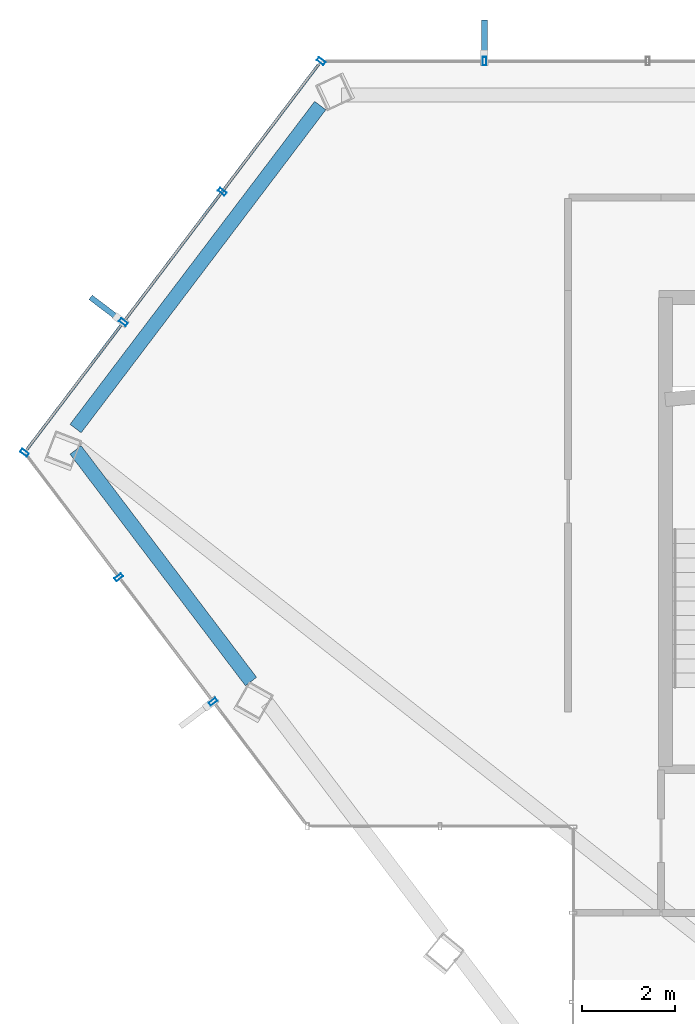
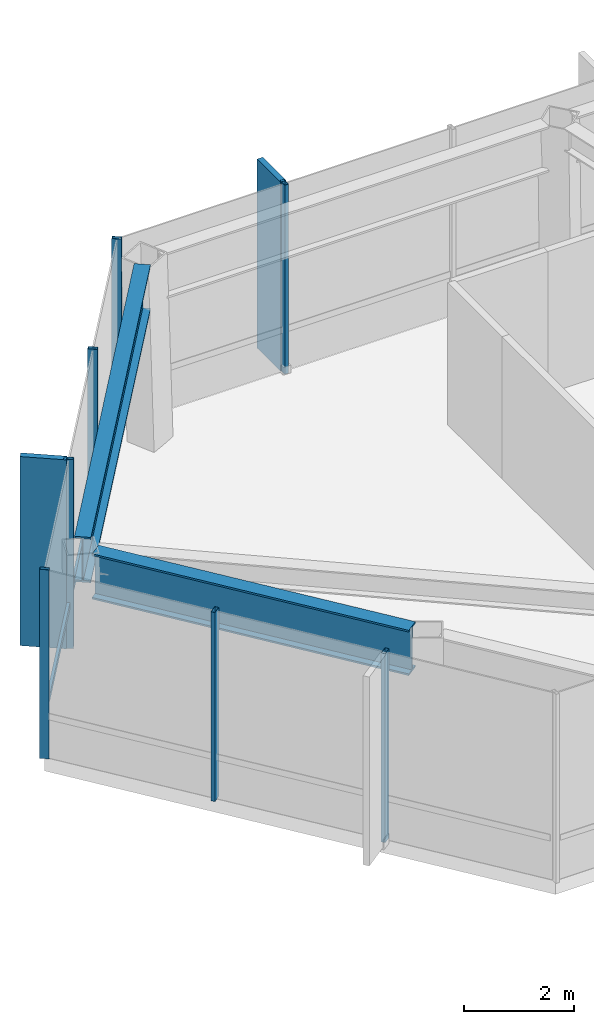
# One storey, part 7 of 22: 10 members, 2 beams, 3 elements without a shape of their own.
"""IFC4 building model written with IfcOpenShell, lengths in metres."""

from ifc_helpers import new_model, si_unit, direction, frame, origin, origin_2d, place, context, subcontext, project, spatial, rectangle, hollow_rectangle, i_section, extrude, material, layer, layer_set, material_profile, profile_set, type_object, element, aggregate, save


model = new_model("IFC4")

# Units and contexts
model_context = context("Model", 3, precision=1e-05, world=origin(), true_north=direction((0.0, 1.0)))
body_context = subcontext(model_context, "Body", "Model", "MODEL_VIEW")
ifc_project = project(units=[si_unit("LENGTHUNIT", "METRE"), si_unit("AREAUNIT", "SQUARE_METRE"), si_unit("VOLUMEUNIT", "CUBIC_METRE"), si_unit("PLANEANGLEUNIT", "RADIAN"), si_unit("MASSUNIT", "GRAM", prefix="KILO")], contexts=[model_context])

# Site, building, storey
site_placement = place(None, origin())
site = spatial("IfcSite", under=ifc_project, at=site_placement, CompositionType="ELEMENT")
building_placement = place(site_placement, origin())
building = spatial("IfcBuilding", under=site, at=building_placement, Name="Zarrinselat Tower", CompositionType="ELEMENT")
storey_placement = place(building_placement, frame((0.0, 0.0, 204.340087890625)))
storey = spatial("IfcBuildingStorey", under=building, at=storey_placement, Name="L50", CompositionType="ELEMENT", Elevation=204.340087890625)

# Beams
ifc_material_1 = material(Name="Steel S460M", Category="steel")
ifc_material_profile_1 = material_profile(ifc_material_1, i_section(OverallWidth=0.302001953125, OverallDepth=1.008056640625, WebThickness=0.02099609375, FlangeThickness=0.0400390625, at=origin_2d()), Name="HEM 1000")
ifc_profile_set_1 = profile_set([ifc_material_profile_1], Name="Steel S460M")
beam_type = type_object("IfcBeamType", Name="BM-HEM1000", PredefinedType="BEAM", material=ifc_profile_set_1)
beam_1_placement = place(storey_placement, frame((15.943115234375, 40.57666015625, 3.69580078125), z_axis=(0.603856610549, 0.7970929644, 0.0), x_axis=(-0.7970929644, 0.603856610549, 0.0)))
element("IfcBeam", 1, at=beam_1_placement, inside=storey, type_object=beam_type, Name="L50 Perimeter Spandrel Girder SP05", PredefinedType="BEAM", context=body_context, shape_type="SweptSolid", body=[
    extrude(i_section(OverallWidth=0.302001953125, OverallDepth=1.008056640625, WebThickness=0.02099609375, FlangeThickness=0.0400390625, at=origin_2d()), origin(), (0.0, 0.0, 1.0), 8.725341796875),
])
beam_2_placement = place(storey_placement, frame((15.943115234375, 40.117431640625, 3.69580078125), z_axis=(0.603844917099, -0.797101822914, 0.0), x_axis=(0.797101822914, 0.603844917099, 0.0)))
element("IfcBeam", 2, at=beam_2_placement, inside=storey, type_object=beam_type, Name="L50 Perimeter Spandrel Girder SP06", PredefinedType="BEAM", context=body_context, shape_type="SweptSolid", body=[
    extrude(i_section(OverallWidth=0.302001953125, OverallDepth=1.008056640625, WebThickness=0.02099609375, FlangeThickness=0.0400390625, at=origin_2d()), origin(), (0.0, 0.0, 1.0), 6.257080078125),
])

# Curtain wall, members
ifc_material_2 = material(Name="Extruded Aluminium Alloy EN AW-6063 T6", Category="aluminium")
ifc_layer = layer(ifc_material_2, 0.195068359375)
ifc_layer_set = layer_set([ifc_layer], Name="Extruded Aluminium Alloy EN AW-6063 T6")
curtain_wall_type = type_object("IfcCurtainWallType", Name="CWS-GDN", PredefinedType="NOTDEFINED", material=ifc_layer_set)
curtain_wall_1_placement = place(storey_placement, origin())
curtain_wall_1 = element("IfcCurtainWall", 3, at=curtain_wall_1_placement, inside=storey, type_object=curtain_wall_type, Name="L50 Unitised Curtain Wall CW-L50-E01", PredefinedType="NOTDEFINED")
ifc_material_3 = material(Name="Extruded Aluminium Alloy EN AW-6063 T6", Category="aluminium")
ifc_material_profile_2 = material_profile(ifc_material_3, hollow_rectangle(XDim=0.080078125, YDim=0.179931640625, WallThickness=0.0048828125, at=origin_2d()), Name="RHS 180x80x5")
ifc_profile_set_2 = profile_set([ifc_material_profile_2], Name="Extruded Aluminium Alloy EN AW-6063 T6")
member_type_1 = type_object("IfcMemberType", Name="MEM-CW-MUL", PredefinedType="MULLION", material=ifc_profile_set_2)
member_1_placement = place(storey_placement, frame((14.8427734375, 40.057861328125, 0.0), z_axis=(0.0, 0.0, 1.0), x_axis=(0.603857870018, 0.797092010258, 0.0)))
member_1 = element("IfcMember", 4, at=member_1_placement, type_object=member_type_1, Name="CW-L50-E01 Mullion 0", PredefinedType="MULLION", context=body_context, shape_type="SweptSolid", body=[
    extrude(hollow_rectangle(XDim=0.080078125, YDim=0.179931640625, WallThickness=0.0048828125, at=origin_2d()), origin(), (0.0, 0.0, 1.0), 4.199951171875),
])
member_2_placement = place(storey_placement, frame((16.9716796875, 42.868408203125, 0.0), z_axis=(0.0, 0.0, 1.0), x_axis=(0.603857870018, 0.797092010258, 0.0)))
member_2 = element("IfcMember", 5, at=member_2_placement, type_object=member_type_1, Name="CW-L50-E01 Mullion 1", PredefinedType="MULLION", context=body_context, shape_type="SweptSolid", body=[
    extrude(hollow_rectangle(XDim=0.080078125, YDim=0.179931640625, WallThickness=0.0048828125, at=origin_2d()), origin(), (0.0, 0.0, 1.0), 4.199951171875),
])
member_3_placement = place(storey_placement, frame((19.100830078125, 45.6787109375, 0.0), z_axis=(0.0, 0.0, 1.0), x_axis=(0.603857870018, 0.797092010258, 0.0)))
member_3 = element("IfcMember", 6, at=member_3_placement, type_object=member_type_1, Name="CW-L50-E01 Mullion 2", PredefinedType="MULLION", context=body_context, shape_type="SweptSolid", body=[
    extrude(hollow_rectangle(XDim=0.080078125, YDim=0.179931640625, WallThickness=0.0048828125, at=origin_2d()), origin(), (0.0, 0.0, 1.0), 4.199951171875),
])
member_4_placement = place(storey_placement, frame((21.22998046875, 48.489013671875, 0.0), z_axis=(0.0, 0.0, 1.0), x_axis=(0.603857870018, 0.797092010258, 0.0)))
member_4 = element("IfcMember", 7, at=member_4_placement, type_object=member_type_1, Name="CW-L50-E01 Mullion 3", PredefinedType="MULLION", context=body_context, shape_type="SweptSolid", body=[
    extrude(hollow_rectangle(XDim=0.080078125, YDim=0.179931640625, WallThickness=0.0048828125, at=origin_2d()), origin(), (0.0, 0.0, 1.0), 4.199951171875),
])

# Curtain wall, member
curtain_wall_2_placement = place(storey_placement, origin())
curtain_wall_2 = element("IfcCurtainWall", 8, at=curtain_wall_2_placement, inside=storey, type_object=curtain_wall_type, Name="L50 Unitised Curtain Wall CW-L50-E02", PredefinedType="NOTDEFINED")
member_5_placement = place(storey_placement, frame((24.747314453125, 48.489013671875, 0.0), z_axis=(0.0, 0.0, 1.0), x_axis=(1.0, 0.0, 0.0)))
member_5 = element("IfcMember", 9, at=member_5_placement, type_object=member_type_1, Name="CW-L50-E02 Mullion 1", PredefinedType="MULLION", context=body_context, shape_type="SweptSolid", body=[
    extrude(hollow_rectangle(XDim=0.080078125, YDim=0.179931640625, WallThickness=0.0048828125, at=origin_2d()), origin(), (0.0, 0.0, 1.0), 4.199951171875),
])

# Curtain wall, members
curtain_wall_3_placement = place(storey_placement, origin())
curtain_wall_3 = element("IfcCurtainWall", 10, at=curtain_wall_3_placement, inside=storey, type_object=curtain_wall_type, Name="L50 Unitised Curtain Wall CW-L50-E25", PredefinedType="NOTDEFINED")
member_6_placement = place(storey_placement, frame((18.90478515625, 34.696044921875, 0.0), z_axis=(0.0, 0.0, 1.0), x_axis=(-0.603858445775, 0.797091574078, 0.0)))
member_6 = element("IfcMember", 11, at=member_6_placement, type_object=member_type_1, Name="CW-L50-E25 Mullion 1", PredefinedType="MULLION", context=body_context, shape_type="SweptSolid", body=[
    extrude(hollow_rectangle(XDim=0.080078125, YDim=0.179931640625, WallThickness=0.0048828125, at=origin_2d()), origin(), (0.0, 0.0, 1.0), 4.199951171875),
])
member_7_placement = place(storey_placement, frame((16.873779296875, 37.376953125, 0.0), z_axis=(0.0, 0.0, 1.0), x_axis=(-0.603858445775, 0.797091574078, 0.0)))
member_7 = element("IfcMember", 12, at=member_7_placement, type_object=member_type_1, Name="CW-L50-E25 Mullion 2", PredefinedType="MULLION", context=body_context, shape_type="SweptSolid", body=[
    extrude(hollow_rectangle(XDim=0.080078125, YDim=0.179931640625, WallThickness=0.0048828125, at=origin_2d()), origin(), (0.0, 0.0, 1.0), 4.199951171875),
])
aggregate(curtain_wall_3, [member_6, member_7])

# Member
ifc_material_4 = material(Name="Extruded Aluminium Alloy EN AW-6063 T6", Category="aluminium")
ifc_material_profile_3 = material_profile(ifc_material_4, hollow_rectangle(XDim=0.06005859375, YDim=0.139892578125, WallThickness=0.00390625, at=origin_2d()), Name="RHS 140x60x4")
ifc_profile_set_3 = profile_set([ifc_material_profile_3], Name="Extruded Aluminium Alloy EN AW-6063 T6")
member_type_2 = type_object("IfcMemberType", Name="MEM-CW-TRN", PredefinedType="USERDEFINED", material=ifc_profile_set_3)
member_8_placement = place(storey_placement, frame((14.89697265625, 40.129638671875, 0.949951171875), z_axis=(0.603862660929, 0.797088380756, 0.0), x_axis=(-0.797088380756, 0.603862660929, 0.0)))
member_8 = element("IfcMember", 13, at=member_8_placement, type_object=member_type_2, Name="CW-L50-E01 Transom 1", ObjectType="TRANSOM", PredefinedType="USERDEFINED", context=body_context, shape_type="SweptSolid", body=[
    extrude(hollow_rectangle(XDim=0.06005859375, YDim=0.139892578125, WallThickness=0.00390625, at=origin_2d()), origin(), (0.0, 0.0, 1.0), 10.397216796875),
])

ifc_material_5 = material(Name="Honed Cream Travertine Stone", Category="masonry")
ifc_material_profile_4 = material_profile(ifc_material_5, rectangle(XDim=0.1201171875, YDim=0.85009765625, at=origin_2d()), Name="FIN 850x120")
ifc_profile_set_4 = profile_set([ifc_material_profile_4], Name="Honed Cream Travertine Stone")
member_type_3 = type_object("IfcMemberType", Name="MEM-STONE-FIN", PredefinedType="USERDEFINED", material=ifc_profile_set_4)
member_9_placement = place(storey_placement, frame((16.60498046875, 43.14599609375, 0.0), z_axis=(0.0, 0.0, 1.0), x_axis=(0.603857870018, 0.797092010258, 0.0)))
member_9 = element("IfcMember", 14, at=member_9_placement, type_object=member_type_3, Name="L50 Stone Shading Fin CW-L50-E01-01", ObjectType="FIN", PredefinedType="USERDEFINED", context=body_context, shape_type="SweptSolid", body=[
    extrude(rectangle(XDim=0.1201171875, YDim=0.85009765625, at=origin_2d()), origin(), (0.0, 0.0, 1.0), 4.199951171875),
])

aggregate(curtain_wall_1, [member_1, member_2, member_9, member_3, member_4, member_8])

member_10_placement = place(storey_placement, frame((24.747314453125, 48.948974609375, 0.0), z_axis=(0.0, 0.0, 1.0), x_axis=(1.0, 0.0, 0.0)))
member_10 = element("IfcMember", 15, at=member_10_placement, type_object=member_type_3, Name="L50 Stone Shading Fin CW-L50-E02-01", ObjectType="FIN", PredefinedType="USERDEFINED", context=body_context, shape_type="SweptSolid", body=[
    extrude(rectangle(XDim=0.1201171875, YDim=0.85009765625, at=origin_2d()), origin(), (0.0, 0.0, 1.0), 4.199951171875),
])

aggregate(curtain_wall_2, [member_5, member_10])

save(model, "model.ifc")
